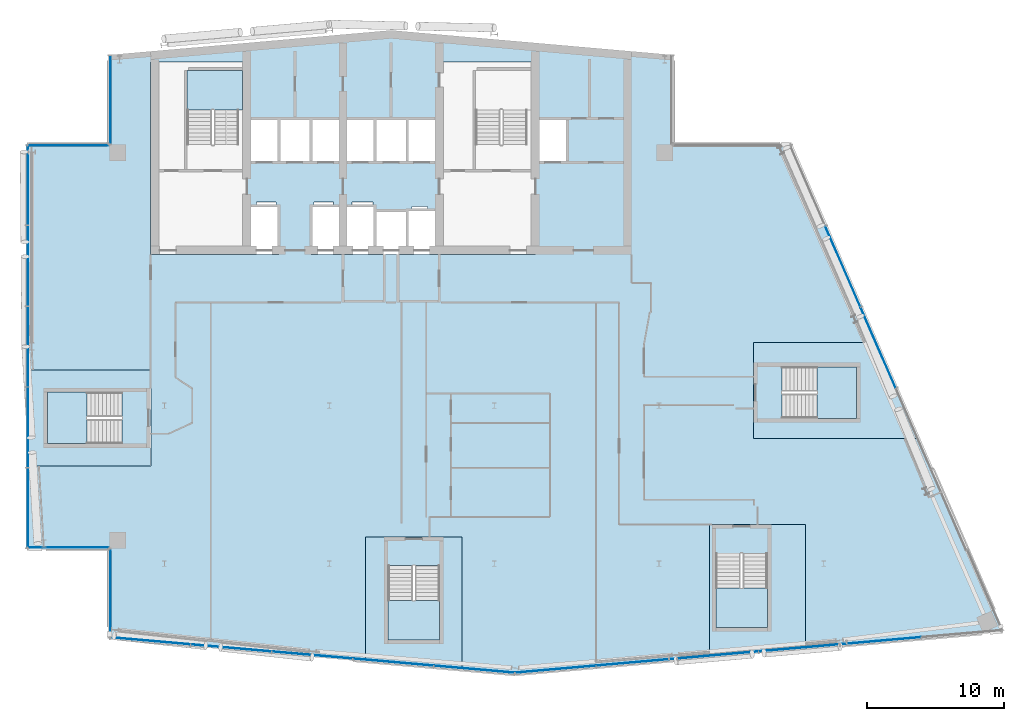
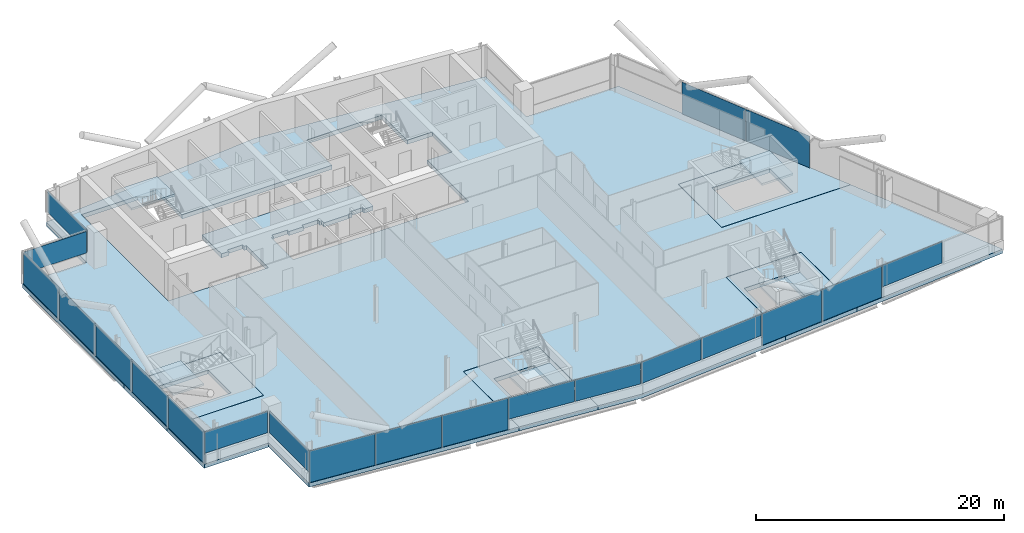
# One storey, part 13 of 26: 21 plates, 10 slabs, 13 elements without a shape of their own.
"""IFC4 building model written with IfcOpenShell, lengths in metres."""

from ifc_helpers import new_model, si_unit, direction, frame, origin, origin_2d, place, context, subcontext, project, spatial, polyline, rectangle, outline, extrude, material, layer, layer_set, type_object, element, aggregate, save


model = new_model("IFC4")

# Units and contexts
model_context = context("Model", 3, precision=1e-05, world=origin(), true_north=direction((0.0, 1.0)))
body_context = subcontext(model_context, "Body", "Model", "MODEL_VIEW")
ifc_project = project(units=[si_unit("LENGTHUNIT", "METRE"), si_unit("AREAUNIT", "SQUARE_METRE"), si_unit("VOLUMEUNIT", "CUBIC_METRE"), si_unit("PLANEANGLEUNIT", "RADIAN"), si_unit("MASSUNIT", "GRAM", prefix="KILO")], contexts=[model_context])

# Site, building, storey
site_placement = place(None, origin())
site = spatial("IfcSite", under=ifc_project, at=site_placement, CompositionType="ELEMENT")
building_placement = place(site_placement, origin())
building = spatial("IfcBuilding", under=site, at=building_placement, Name="Wharfspan Tower", CompositionType="ELEMENT")
storey_placement = place(building_placement, frame((0.0, 0.0, 235.899902)))
storey = spatial("IfcBuildingStorey", under=building, at=storey_placement, Name="L59", CompositionType="ELEMENT", Elevation=235.899902)

# Curtain wall, plates
ifc_material_1 = material(Name="Aluminium 6063-T6", Category="aluminium")
curtain_wall_type_1 = type_object("IfcCurtainWallType", Name="CURTAIN WALL FACETED FRONT", PredefinedType="NOTDEFINED", material=ifc_material_1)
curtain_wall_1_placement = place(storey_placement, origin())
curtain_wall_1 = element("IfcCurtainWall", 1, at=curtain_wall_1_placement, inside=storey, type_object=curtain_wall_type_1, Name="Curtain wall S1", PredefinedType="NOTDEFINED")
ifc_material_2 = material(Name="Glass clear low-iron double glazing", Category="glass")
ifc_layer_1 = layer(ifc_material_2, 0.040039)
ifc_layer_set_1 = layer_set([ifc_layer_1], Name="Glass clear low-iron double glazing")
plate_type_1 = type_object("IfcPlateType", Name="GLASS PANEL FACETED FRONT 40", PredefinedType="CURTAIN_PANEL", material=ifc_layer_set_1)
plate_1_placement = place(storey_placement, frame((40.655273, 4.328125, 1.0), z_axis=(0.0, 0.0, 1.0), x_axis=(0.996197, -0.087156, 0.0)))
plate_1 = element("IfcPlate", 2, at=plate_1_placement, type_object=plate_type_1, Name="Curtain wall S1 panel 4", PredefinedType="CURTAIN_PANEL", context=body_context, shape_type="SweptSolid", body=[
    extrude(rectangle(XDim=5.862549, YDim=0.040039, at=origin_2d()), origin(), (0.0, 0.0, 1.0), 2.120117),
])
plate_2_placement = place(storey_placement, frame((46.540283, 3.813232, 1.0), z_axis=(0.0, 0.0, 1.0), x_axis=(0.996197, -0.087156, 0.0)))
plate_2 = element("IfcPlate", 3, at=plate_2_placement, type_object=plate_type_1, Name="Curtain wall S1 panel 5", PredefinedType="CURTAIN_PANEL", context=body_context, shape_type="SweptSolid", body=[
    extrude(rectangle(XDim=5.83252, YDim=0.040039, at=origin_2d()), origin(), (0.0, 0.0, 1.0), 2.120117),
])

curtain_wall_2_placement = place(storey_placement, origin())
curtain_wall_2 = element("IfcCurtainWall", 4, at=curtain_wall_2_placement, inside=storey, type_object=curtain_wall_type_1, Name="Curtain wall S2", PredefinedType="NOTDEFINED")
plate_3_placement = place(storey_placement, frame((52.468018, 3.813965, 1.0), z_axis=(0.0, 0.0, 1.0), x_axis=(0.996197, 0.087156, 0.0)))
plate_3 = element("IfcPlate", 5, at=plate_3_placement, type_object=plate_type_1, Name="Curtain wall S2 panel 1", PredefinedType="CURTAIN_PANEL", context=body_context, shape_type="SweptSolid", body=[
    extrude(rectangle(XDim=5.849365, YDim=0.040039, at=origin_2d()), origin(), (0.0, 0.0, 1.0), 2.120117),
])
plate_4_placement = place(storey_placement, frame((58.369873, 4.330322, 1.0), z_axis=(0.0, 0.0, 1.0), x_axis=(0.996197, 0.087156, 0.0)))
plate_4 = element("IfcPlate", 6, at=plate_4_placement, type_object=plate_type_1, Name="Curtain wall S2 panel 2", PredefinedType="CURTAIN_PANEL", context=body_context, shape_type="SweptSolid", body=[
    extrude(rectangle(XDim=5.87915, YDim=0.040039, at=origin_2d()), origin(), (0.0, 0.0, 1.0), 2.120117),
])
plate_5_placement = place(storey_placement, frame((76.119873, 5.883301, 1.0), z_axis=(0.0, 0.0, 1.0), x_axis=(0.996197, 0.087156, 0.0)))
plate_5 = element("IfcPlate", 7, at=plate_5_placement, type_object=plate_type_1, Name="Curtain wall S2 panel 5", PredefinedType="CURTAIN_PANEL", context=body_context, shape_type="SweptSolid", body=[
    extrude(rectangle(XDim=5.87915, YDim=0.040039, at=origin_2d()), origin(), (0.0, 0.0, 1.0), 2.120117),
])

# Curtain wall, plate
curtain_wall_type_2 = type_object("IfcCurtainWallType", Name="CURTAIN WALL PROW AND END", PredefinedType="NOTDEFINED", material=ifc_material_1)
curtain_wall_3_placement = place(storey_placement, origin())
curtain_wall_3 = element("IfcCurtainWall", 8, at=curtain_wall_3_placement, inside=storey, type_object=curtain_wall_type_2, Name="Curtain wall NRW-V", PredefinedType="NOTDEFINED")
ifc_layer_2 = layer(ifc_material_2, 0.040039)
ifc_layer_set_2 = layer_set([ifc_layer_2], Name="Glass clear low-iron double glazing")
plate_type_2 = type_object("IfcPlateType", Name="GLASS PANEL PROW AND END 40", PredefinedType="CURTAIN_PANEL", material=ifc_layer_set_2)
plate_6_placement = place(storey_placement, frame((20.080078, 45.262451, 1.0), z_axis=(0.0, 0.0, 1.0), x_axis=(0.0, -1.0, 0.0)))
plate_6 = element("IfcPlate", 9, at=plate_6_placement, type_object=plate_type_2, Name="Curtain wall NRW-V panel 1", PredefinedType="CURTAIN_PANEL", context=body_context, shape_type="SweptSolid", body=[
    extrude(rectangle(XDim=6.405029, YDim=0.040039, at=origin_2d()), origin(), (0.0, 0.0, 1.0), 2.120117),
])
aggregate(curtain_wall_3, [plate_6])

curtain_wall_4_placement = place(storey_placement, origin())
curtain_wall_4 = element("IfcCurtainWall", 10, at=curtain_wall_4_placement, inside=storey, type_object=curtain_wall_type_2, Name="Curtain wall NRW-H", PredefinedType="NOTDEFINED")
plate_7_placement = place(storey_placement, frame((17.0, 41.919922, 1.0), z_axis=(0.0, 0.0, 1.0), x_axis=(-1.0, 0.0, 0.0)))
plate_7 = element("IfcPlate", 11, at=plate_7_placement, type_object=plate_type_2, Name="Curtain wall NRW-H panel 1", PredefinedType="CURTAIN_PANEL", context=body_context, shape_type="SweptSolid", body=[
    extrude(rectangle(XDim=5.879883, YDim=0.040039, at=origin_2d()), origin(), (0.0, 0.0, 1.0), 2.120117),
])
aggregate(curtain_wall_4, [plate_7])

curtain_wall_5_placement = place(storey_placement, origin())
curtain_wall_5 = element("IfcCurtainWall", 12, at=curtain_wall_5_placement, inside=storey, type_object=curtain_wall_type_2, Name="Curtain wall NFW-H", PredefinedType="NOTDEFINED")
plate_8_placement = place(storey_placement, frame((17.0, 12.679932, 1.0), z_axis=(0.0, 0.0, 1.0), x_axis=(1.0, 0.0, 0.0)))
plate_8 = element("IfcPlate", 13, at=plate_8_placement, type_object=plate_type_2, Name="Curtain wall NFW-H panel 1", PredefinedType="CURTAIN_PANEL", context=body_context, shape_type="SweptSolid", body=[
    extrude(rectangle(XDim=5.879883, YDim=0.040039, at=origin_2d()), origin(), (0.0, 0.0, 1.0), 2.120117),
])
aggregate(curtain_wall_5, [plate_8])

curtain_wall_6_placement = place(storey_placement, origin())
curtain_wall_6 = element("IfcCurtainWall", 14, at=curtain_wall_6_placement, inside=storey, type_object=curtain_wall_type_2, Name="Curtain wall NFW-V", PredefinedType="NOTDEFINED")
plate_9_placement = place(storey_placement, frame((20.080078, 9.337646, 1.0), z_axis=(0.0, 0.0, 1.0), x_axis=(0.0, -1.0, 0.0)))
plate_9 = element("IfcPlate", 15, at=plate_9_placement, type_object=plate_type_2, Name="Curtain wall NFW-V panel 1", PredefinedType="CURTAIN_PANEL", context=body_context, shape_type="SweptSolid", body=[
    extrude(rectangle(XDim=6.405029, YDim=0.040039, at=origin_2d()), origin(), (0.0, 0.0, 1.0), 2.120117),
])
aggregate(curtain_wall_6, [plate_9])

# Plate
ifc_material_3 = material(Name="Aluminium composite opaque insulated panel", Category="aluminium")
ifc_layer_3 = layer(ifc_material_3, 0.040039)
ifc_layer_set_3 = layer_set([ifc_layer_3], Name="Aluminium composite opaque insulated panel")
plate_type_3 = type_object("IfcPlateType", Name="INFILL PANEL FACETED FRONT OPAQUE 40", PredefinedType="SHEET", material=ifc_layer_set_3)
plate_10_placement = place(storey_placement, frame((22.970215, 5.875488, 0.0), z_axis=(0.0, 0.0, 1.0), x_axis=(0.996197, -0.087156, 0.0)))
plate_10 = element("IfcPlate", 16, at=plate_10_placement, type_object=plate_type_3, Name="Curtain wall S1 panel 1", PredefinedType="SHEET", context=body_context, shape_type="SweptSolid", body=[
    extrude(rectangle(XDim=5.83252, YDim=0.040039, at=origin_2d()), origin(), (0.0, 0.0, 1.0), 3.120117),
])

plate_11_placement = place(storey_placement, frame((28.855225, 5.360596, 0.0), z_axis=(0.0, 0.0, 1.0), x_axis=(0.996197, -0.087156, 0.0)))
plate_11 = element("IfcPlate", 17, at=plate_11_placement, type_object=plate_type_3, Name="Curtain wall S1 panel 2", PredefinedType="SHEET", context=body_context, shape_type="SweptSolid", body=[
    extrude(rectangle(XDim=5.862549, YDim=0.040039, at=origin_2d()), origin(), (0.0, 0.0, 1.0), 3.120117),
])

plate_12_placement = place(storey_placement, frame((34.755127, 4.844482, 0.0), z_axis=(0.0, 0.0, 1.0), x_axis=(0.996197, -0.087156, 0.0)))
plate_12 = element("IfcPlate", 18, at=plate_12_placement, type_object=plate_type_3, Name="Curtain wall S1 panel 3", PredefinedType="SHEET", context=body_context, shape_type="SweptSolid", body=[
    extrude(rectangle(XDim=5.862549, YDim=0.040039, at=origin_2d()), origin(), (0.0, 0.0, 1.0), 3.120117),
])

aggregate(curtain_wall_1, [plate_10, plate_11, plate_12, plate_1, plate_2])

plate_13_placement = place(storey_placement, frame((64.286377, 4.848145, 0.0), z_axis=(0.0, 0.0, 1.0), x_axis=(0.996197, 0.087156, 0.0)))
plate_13 = element("IfcPlate", 19, at=plate_13_placement, type_object=plate_type_3, Name="Curtain wall S2 panel 3", PredefinedType="SHEET", context=body_context, shape_type="SweptSolid", body=[
    extrude(rectangle(XDim=5.87915, YDim=0.040039, at=origin_2d()), origin(), (0.0, 0.0, 1.0), 3.120117),
])

plate_14_placement = place(storey_placement, frame((70.203125, 5.365723, 0.0), z_axis=(0.0, 0.0, 1.0), x_axis=(0.996197, 0.087156, 0.0)))
plate_14 = element("IfcPlate", 20, at=plate_14_placement, type_object=plate_type_3, Name="Curtain wall S2 panel 4", PredefinedType="SHEET", context=body_context, shape_type="SweptSolid", body=[
    extrude(rectangle(XDim=5.87915, YDim=0.040039, at=origin_2d()), origin(), (0.0, 0.0, 1.0), 3.120117),
])

aggregate(curtain_wall_2, [plate_3, plate_4, plate_13, plate_14, plate_5])

# Curtain wall, plates
curtain_wall_7_placement = place(storey_placement, origin())
curtain_wall_7 = element("IfcCurtainWall", 21, at=curtain_wall_7_placement, inside=storey, type_object=curtain_wall_type_2, Name="Curtain wall E", PredefinedType="NOTDEFINED")
ifc_layer_4 = layer(ifc_material_3, 0.040039)
ifc_layer_set_4 = layer_set([ifc_layer_4], Name="Aluminium composite opaque insulated panel")
plate_type_4 = type_object("IfcPlateType", Name="INFILL PANEL PROW AND END OPAQUE 40", PredefinedType="SHEET", material=ifc_layer_set_4)
plate_15_placement = place(storey_placement, frame((75.948486, 27.218018, 0.0), z_axis=(0.0, 0.0, 1.0), x_axis=(-0.398727, 0.917072, 0.0)))
plate_15 = element("IfcPlate", 22, at=plate_15_placement, type_object=plate_type_4, Name="Curtain wall E panel 4", PredefinedType="SHEET", context=body_context, shape_type="SweptSolid", body=[
    extrude(rectangle(XDim=6.373535, YDim=0.040039, at=origin_2d()), origin(), (0.0, 0.0, 1.0), 3.120117),
])
plate_16_placement = place(storey_placement, frame((73.383057, 33.118164, 0.0), z_axis=(0.0, 0.0, 1.0), x_axis=(-0.398727, 0.917072, 0.0)))
plate_16 = element("IfcPlate", 23, at=plate_16_placement, type_object=plate_type_4, Name="Curtain wall E panel 5", PredefinedType="SHEET", context=body_context, shape_type="SweptSolid", body=[
    extrude(rectangle(XDim=6.373535, YDim=0.040039, at=origin_2d()), origin(), (0.0, 0.0, 1.0), 3.120117),
])
aggregate(curtain_wall_7, [plate_15, plate_16])

curtain_wall_8_placement = place(storey_placement, origin())
curtain_wall_8 = element("IfcCurtainWall", 24, at=curtain_wall_8_placement, inside=storey, type_object=curtain_wall_type_2, Name="Curtain wall W", PredefinedType="NOTDEFINED")
plate_17_placement = place(storey_placement, frame((14.080078, 39.044922, 0.0), z_axis=(0.0, 0.0, 1.0), x_axis=(0.0, -1.0, 0.0)))
plate_17 = element("IfcPlate", 25, at=plate_17_placement, type_object=plate_type_4, Name="Curtain wall W panel 1", PredefinedType="SHEET", context=body_context, shape_type="SweptSolid", body=[
    extrude(rectangle(XDim=5.790039, YDim=0.040039, at=origin_2d()), origin(), (0.0, 0.0, 1.0), 3.120117),
])
plate_18_placement = place(storey_placement, frame((14.080078, 33.179932, 0.0), z_axis=(0.0, 0.0, 1.0), x_axis=(0.0, -1.0, 0.0)))
plate_18 = element("IfcPlate", 26, at=plate_18_placement, type_object=plate_type_4, Name="Curtain wall W panel 2", PredefinedType="SHEET", context=body_context, shape_type="SweptSolid", body=[
    extrude(rectangle(XDim=5.820068, YDim=0.040039, at=origin_2d()), origin(), (0.0, 0.0, 1.0), 3.120117),
])
plate_19_placement = place(storey_placement, frame((14.080078, 27.300049, 0.0), z_axis=(0.0, 0.0, 1.0), x_axis=(0.0, -1.0, 0.0)))
plate_19 = element("IfcPlate", 27, at=plate_19_placement, type_object=plate_type_4, Name="Curtain wall W panel 3", PredefinedType="SHEET", context=body_context, shape_type="SweptSolid", body=[
    extrude(rectangle(XDim=5.820068, YDim=0.040039, at=origin_2d()), origin(), (0.0, 0.0, 1.0), 3.120117),
])
plate_20_placement = place(storey_placement, frame((14.080078, 21.419922, 0.0), z_axis=(0.0, 0.0, 1.0), x_axis=(0.0, -1.0, 0.0)))
plate_20 = element("IfcPlate", 28, at=plate_20_placement, type_object=plate_type_4, Name="Curtain wall W panel 4", PredefinedType="SHEET", context=body_context, shape_type="SweptSolid", body=[
    extrude(rectangle(XDim=5.820068, YDim=0.040039, at=origin_2d()), origin(), (0.0, 0.0, 1.0), 3.120117),
])
plate_21_placement = place(storey_placement, frame((14.080078, 15.554932, 0.0), z_axis=(0.0, 0.0, 1.0), x_axis=(0.0, -1.0, 0.0)))
plate_21 = element("IfcPlate", 29, at=plate_21_placement, type_object=plate_type_4, Name="Curtain wall W panel 5", PredefinedType="SHEET", context=body_context, shape_type="SweptSolid", body=[
    extrude(rectangle(XDim=5.790039, YDim=0.040039, at=origin_2d()), origin(), (0.0, 0.0, 1.0), 3.120117),
])
aggregate(curtain_wall_8, [plate_17, plate_18, plate_19, plate_20, plate_21])

# Slabs
ifc_material_4 = material(Name="Concrete C40/50", Category="concrete")
ifc_layer_5 = layer(ifc_material_4, 0.399902)
ifc_layer_set_5 = layer_set([ifc_layer_5], Name="Concrete C40/50")
slab_type_1 = type_object("IfcSlabType", Name="Post-tensioned flat slab 400", PredefinedType="FLOOR", material=ifc_layer_set_5)
slab_1_placement = place(storey_placement, frame((0.0, 0.0, -0.400146)))
element("IfcSlab", 30, at=slab_1_placement, inside=storey, type_object=slab_type_1, Name="Floor slab L59", PredefinedType="FLOOR", context=body_context, shape_type="SweptSolid", body=[
    extrude(outline(polyline([(38.64209, 4.444092), (38.64209, 13.453125), (45.662109, 13.453125), (45.662109, 3.829834), (49.5, 3.494141), (63.658691, 4.73291), (63.658691, 14.356201), (70.678711, 14.356201), (70.678711, 5.347168), (85.0, 6.600098), (78.91748, 20.590088), (66.859619, 20.590088), (66.859619, 27.610107), (75.865234, 27.610107), (69.608643, 42.0), (61.0, 42.0), (61.0, 48.524902), (40.5, 50.318359), (20.0, 48.524902), (20.0, 42.0), (14.0, 42.0), (14.0, 25.610107), (23.01001, 25.610107), (23.01001, 18.590088), (14.0, 18.590088), (14.0, 12.600098), (20.0, 12.600098), (20.0, 6.075195), (38.64209, 4.444092)]), holes=[polyline([(32.126709, 37.560059), (32.343262, 37.560059), (32.343262, 33.98999), (22.98999, 33.98999), (22.98999, 48.01001), (30.01001, 48.01001), (30.01001, 43.909912), (43.98999, 43.909912), (43.98999, 48.01001), (51.01001, 48.01001), (51.01001, 43.909912), (53.343262, 43.909912), (53.343262, 40.689941), (51.01001, 40.689941), (51.01001, 33.98999), (34.656738, 33.98999), (34.656738, 37.560059), (34.873291, 37.560059), (34.873291, 37.810059), (36.293213, 37.810059), (36.293213, 37.560059), (37.666748, 37.560059), (37.666748, 37.810059), (39.166748, 37.810059), (39.166748, 37.560059), (39.343262, 37.560059), (39.343262, 37.209961), (41.656738, 37.209961), (41.656738, 37.26001), (42.023193, 37.26001), (42.023193, 37.51001), (43.143311, 37.51001), (43.143311, 37.26001), (43.98999, 37.26001), (43.98999, 40.689941), (30.01001, 40.689941), (30.01001, 37.560059), (30.706787, 37.560059), (30.706787, 37.810059), (32.126709, 37.810059), (32.126709, 37.560059)])]), origin(), (0.0, 0.0, 1.0), 0.400146),
])
slab_2_placement = place(storey_placement, frame((0.0, 0.0, -0.400146)))
element("IfcSlab", 31, at=slab_2_placement, inside=storey, type_object=slab_type_1, Name="Core floor slab L59 part 1", PredefinedType="FLOOR", context=body_context, shape_type="SweptSolid", body=[
    extrude(outline(polyline([(23.0, 19.925049), (23.0, 24.274902), (23.0, 25.600098), (14.0, 25.600098), (14.0, 18.600098), (23.0, 18.600098), (23.0, 19.925049)]), holes=[polyline([(20.899902, 23.977051), (20.900146, 23.977051), (20.900391, 23.977051), (20.900635, 23.976807), (20.900879, 23.976807), (20.900879, 23.976807), (20.901123, 23.976807), (20.901367, 23.976562), (20.901367, 23.976318), (20.901611, 23.976318), (20.901611, 23.976074), (20.901855, 23.97583), (20.901855, 23.97583), (20.901855, 23.975586), (20.9021, 23.975342), (20.9021, 23.975098), (20.9021, 23.975098), (20.9021, 20.225098), (20.9021, 20.224854), (20.9021, 20.224609), (20.901855, 20.224365), (20.901855, 20.224121), (20.901855, 20.224121), (20.901611, 20.223877), (20.901611, 20.223633), (20.901367, 20.223633), (20.901367, 20.223389), (20.901123, 20.223389), (20.900879, 20.223145), (20.900879, 20.223145), (20.900635, 20.223145), (20.900391, 20.2229), (20.900146, 20.2229), (20.899902, 20.2229), (15.5, 20.2229), (15.499756, 20.2229), (15.499512, 20.2229), (15.499512, 20.223145), (15.499268, 20.223145), (15.499023, 20.223145), (15.498779, 20.223389), (15.498779, 20.223389), (15.498535, 20.223633), (15.498535, 20.223633), (15.498291, 20.223877), (15.498291, 20.224121), (15.498291, 20.224121), (15.498047, 20.224365), (15.498047, 20.224609), (15.498047, 20.224854), (15.498047, 20.225098), (15.498047, 23.975098), (15.498047, 23.975098), (15.498047, 23.975342), (15.498047, 23.975586), (15.498291, 23.97583), (15.498291, 23.97583), (15.498291, 23.976074), (15.498535, 23.976318), (15.498535, 23.976318), (15.498779, 23.976562), (15.498779, 23.976807), (15.499023, 23.976807), (15.499268, 23.976807), (15.499512, 23.976807), (15.499512, 23.977051), (15.499756, 23.977051), (15.5, 23.977051), (20.899902, 23.977051)])]), origin(), (0.0, 0.0, 1.0), 0.400146),
])
slab_3_placement = place(storey_placement, frame((0.0, 0.0, -0.400146)))
element("IfcSlab", 32, at=slab_3_placement, inside=storey, type_object=slab_type_1, Name="Core floor slab L59 part 3", PredefinedType="FLOOR", context=body_context, shape_type="SweptSolid", body=[
    extrude(outline(polyline([(44.327148, 13.443115), (39.977051, 13.443115), (38.6521, 13.443115), (38.6521, 4.443115), (45.6521, 3.830811), (45.6521, 13.443115), (44.327148, 13.443115)]), holes=[polyline([(40.275146, 11.343262), (40.275146, 11.343506), (40.275146, 11.343506), (40.275146, 11.34375), (40.275391, 11.343994), (40.275391, 11.344238), (40.275391, 11.344238), (40.275635, 11.344482), (40.275635, 11.344482), (40.275879, 11.344727), (40.275879, 11.344971), (40.276123, 11.344971), (40.276367, 11.345215), (40.276611, 11.345215), (40.276611, 11.345215), (40.276855, 11.345215), (40.2771, 11.345215), (44.0271, 11.345215), (44.027344, 11.345215), (44.027588, 11.345215), (44.027588, 11.345215), (44.027832, 11.345215), (44.028076, 11.344971), (44.02832, 11.344971), (44.02832, 11.344727), (44.028564, 11.344482), (44.028809, 11.344482), (44.028809, 11.344238), (44.028809, 11.344238), (44.029053, 11.343994), (44.029053, 11.34375), (44.029053, 11.343506), (44.029053, 11.343506), (44.029053, 11.343262), (44.029053, 5.943115), (44.029053, 5.943115), (44.029053, 5.942871), (44.029053, 5.942627), (44.029053, 5.942383), (44.028809, 5.942383), (44.028809, 5.942139), (44.028809, 5.941895), (44.028564, 5.941895), (44.02832, 5.94165), (44.02832, 5.94165), (44.028076, 5.941406), (44.027832, 5.941406), (44.027588, 5.941406), (44.027588, 5.941406), (44.027344, 5.941162), (44.0271, 5.941162), (40.2771, 5.941162), (40.276855, 5.941162), (40.276611, 5.941406), (40.276611, 5.941406), (40.276367, 5.941406), (40.276123, 5.941406), (40.275879, 5.94165), (40.275879, 5.94165), (40.275635, 5.941895), (40.275635, 5.941895), (40.275391, 5.942139), (40.275391, 5.942383), (40.275391, 5.942383), (40.275146, 5.942627), (40.275146, 5.942871), (40.275146, 5.943115), (40.275146, 5.943115), (40.275146, 11.343262)])]), origin(), (0.0, 0.0, 1.0), 0.400146),
])
slab_4_placement = place(storey_placement, frame((0.0, 0.0, -0.400146)))
element("IfcSlab", 33, at=slab_4_placement, inside=storey, type_object=slab_type_1, Name="Core floor slab L59 part 4", PredefinedType="FLOOR", context=body_context, shape_type="SweptSolid", body=[
    extrude(outline(polyline([(70.668701, 14.346191), (68.193848, 14.346191), (63.84375, 14.346191), (63.668701, 14.346191), (63.668701, 4.733887), (70.668701, 5.346191), (70.668701, 14.346191)]), holes=[polyline([(64.141846, 12.246094), (64.141846, 12.246338), (64.141846, 12.246582), (64.141846, 12.246826), (64.14209, 12.246826), (64.14209, 12.24707), (64.14209, 12.247314), (64.142334, 12.247559), (64.142334, 12.247559), (64.142578, 12.247803), (64.142578, 12.247803), (64.142822, 12.247803), (64.143066, 12.248047), (64.143311, 12.248047), (64.143311, 12.248047), (64.143555, 12.248291), (64.143799, 12.248291), (67.893799, 12.248291), (67.894043, 12.248291), (67.894287, 12.248047), (67.894287, 12.248047), (67.894531, 12.248047), (67.894775, 12.247803), (67.89502, 12.247803), (67.89502, 12.247803), (67.895264, 12.247559), (67.895508, 12.247559), (67.895508, 12.247314), (67.895508, 12.24707), (67.895752, 12.246826), (67.895752, 12.246826), (67.895752, 12.246582), (67.895752, 12.246338), (67.895752, 12.246094), (67.895752, 6.846191), (67.895752, 6.845947), (67.895752, 6.845703), (67.895752, 6.845703), (67.895752, 6.845459), (67.895508, 6.845215), (67.895508, 6.845215), (67.895508, 6.844971), (67.895264, 6.844727), (67.89502, 6.844482), (67.89502, 6.844482), (67.894775, 6.844482), (67.894531, 6.844238), (67.894287, 6.844238), (67.894287, 6.844238), (67.894043, 6.844238), (67.893799, 6.844238), (64.143799, 6.844238), (64.143555, 6.844238), (64.143311, 6.844238), (64.143311, 6.844238), (64.143066, 6.844238), (64.142822, 6.844482), (64.142578, 6.844482), (64.142578, 6.844482), (64.142334, 6.844727), (64.142334, 6.844971), (64.14209, 6.845215), (64.14209, 6.845215), (64.14209, 6.845459), (64.141846, 6.845703), (64.141846, 6.845703), (64.141846, 6.845947), (64.141846, 6.846191), (64.141846, 12.246094)])]), origin(), (0.0, 0.0, 1.0), 0.400146),
])
slab_5_placement = place(storey_placement, frame((0.0, 0.0, -0.400146)))
element("IfcSlab", 34, at=slab_5_placement, inside=storey, type_object=slab_type_1, Name="Core floor slab L59 part 5", PredefinedType="FLOOR", context=body_context, shape_type="SweptSolid", body=[
    extrude(outline(polyline([(75.869629, 27.600098), (66.869629, 27.600098), (66.869629, 26.125), (66.869629, 21.774902), (66.869629, 20.600098), (78.913086, 20.600098), (75.869629, 27.600098)]), holes=[polyline([(68.967529, 25.824951), (68.967529, 25.825195), (68.967529, 25.825439), (68.967773, 25.825684), (68.967773, 25.825684), (68.967773, 25.825928), (68.968018, 25.826172), (68.968018, 25.826416), (68.968262, 25.826416), (68.968262, 25.826416), (68.968506, 25.82666), (68.968506, 25.826904), (68.96875, 25.826904), (68.968994, 25.826904), (68.969238, 25.826904), (68.969482, 25.826904), (68.969482, 25.826904), (74.369629, 25.826904), (74.369873, 25.826904), (74.370117, 25.826904), (74.370117, 25.826904), (74.370361, 25.826904), (74.370605, 25.826904), (74.370605, 25.82666), (74.37085, 25.826416), (74.371094, 25.826416), (74.371094, 25.826416), (74.371094, 25.826172), (74.371338, 25.825928), (74.371338, 25.825684), (74.371582, 25.825684), (74.371582, 25.825439), (74.371582, 25.825195), (74.371582, 25.824951), (74.371582, 22.074951), (74.371582, 22.074707), (74.371582, 22.074707), (74.371582, 22.074463), (74.371338, 22.074219), (74.371338, 22.074219), (74.371094, 22.073975), (74.371094, 22.07373), (74.371094, 22.073486), (74.37085, 22.073486), (74.370605, 22.073242), (74.370605, 22.073242), (74.370361, 22.073242), (74.370117, 22.072998), (74.370117, 22.072998), (74.369873, 22.072998), (74.369629, 22.072998), (68.969482, 22.072998), (68.969482, 22.072998), (68.969238, 22.072998), (68.968994, 22.072998), (68.96875, 22.073242), (68.968506, 22.073242), (68.968506, 22.073242), (68.968262, 22.073486), (68.968262, 22.073486), (68.968018, 22.07373), (68.968018, 22.073975), (68.967773, 22.074219), (68.967773, 22.074219), (68.967773, 22.074463), (68.967529, 22.074707), (68.967529, 22.074707), (68.967529, 22.074951), (68.967529, 25.824951)])]), origin(), (0.0, 0.0, 1.0), 0.400146),
])

# Stair, slab
stair_type = type_object("IfcStairType", Name="Half-turn stair 20 risers 180 mm", PredefinedType="HALF_TURN_STAIR", material=ifc_material_4)
stair_1_placement = place(storey_placement, origin())
stair_1 = element("IfcStair", 35, at=stair_1_placement, inside=storey, type_object=stair_type, Name="L59 stair ST1", PredefinedType="HALF_TURN_STAIR")
ifc_layer_6 = layer(ifc_material_4, 0.199951)
ifc_layer_set_6 = layer_set([ifc_layer_6], Name="Concrete C40/50")
slab_type_2 = type_object("IfcSlabType", Name="Stair landing 200", PredefinedType="LANDING", material=ifc_layer_set_6)
slab_6_placement = place(storey_placement, frame((0.0, 0.0, 1.599854)))
slab_6 = element("IfcSlab", 36, at=slab_6_placement, type_object=slab_type_2, Name="ST1 landing 1", PredefinedType="LANDING", context=body_context, shape_type="SweptSolid", body=[
    extrude(outline(polyline([(25.649902, 44.52002), (29.699951, 44.52002), (29.699951, 47.399902), (25.649902, 47.399902), (25.649902, 44.52002)])), origin(), (0.0, 0.0, 1.0), 0.200195),
])
aggregate(stair_1, [slab_6])

stair_2_placement = place(storey_placement, origin())
stair_2 = element("IfcStair", 37, at=stair_2_placement, inside=storey, type_object=stair_type, Name="L59 stair ST3", PredefinedType="HALF_TURN_STAIR")
slab_7_placement = place(storey_placement, frame((0.0, 0.0, 1.599854)))
slab_7 = element("IfcSlab", 38, at=slab_7_placement, type_object=slab_type_2, Name="ST3 landing 1", PredefinedType="LANDING", context=body_context, shape_type="SweptSolid", body=[
    extrude(outline(polyline([(18.379883, 23.975098), (15.5, 23.975098), (15.5, 20.225098), (18.379883, 20.225098), (18.379883, 23.975098)])), origin(), (0.0, 0.0, 1.0), 0.200195),
])
aggregate(stair_2, [slab_7])

stair_3_placement = place(storey_placement, origin())
stair_3 = element("IfcStair", 39, at=stair_3_placement, inside=storey, type_object=stair_type, Name="L59 stair ST4", PredefinedType="HALF_TURN_STAIR")
slab_8_placement = place(storey_placement, frame((0.0, 0.0, 1.599854)))
slab_8 = element("IfcSlab", 40, at=slab_8_placement, type_object=slab_type_2, Name="ST4 landing 1", PredefinedType="LANDING", context=body_context, shape_type="SweptSolid", body=[
    extrude(outline(polyline([(40.2771, 8.823242), (40.2771, 5.943115), (44.0271, 5.943115), (44.0271, 8.823242), (40.2771, 8.823242)])), origin(), (0.0, 0.0, 1.0), 0.200195),
])
aggregate(stair_3, [slab_8])

stair_4_placement = place(storey_placement, origin())
stair_4 = element("IfcStair", 41, at=stair_4_placement, inside=storey, type_object=stair_type, Name="L59 stair ST5", PredefinedType="HALF_TURN_STAIR")
slab_9_placement = place(storey_placement, frame((0.0, 0.0, 1.599854)))
slab_9 = element("IfcSlab", 42, at=slab_9_placement, type_object=slab_type_2, Name="ST5 landing 1", PredefinedType="LANDING", context=body_context, shape_type="SweptSolid", body=[
    extrude(outline(polyline([(64.143799, 9.726074), (64.143799, 6.846191), (67.893799, 6.846191), (67.893799, 9.726074), (64.143799, 9.726074)])), origin(), (0.0, 0.0, 1.0), 0.200195),
])
aggregate(stair_4, [slab_9])

stair_5_placement = place(storey_placement, origin())
stair_5 = element("IfcStair", 43, at=stair_5_placement, inside=storey, type_object=stair_type, Name="L59 stair ST6", PredefinedType="HALF_TURN_STAIR")
slab_10_placement = place(storey_placement, frame((0.0, 0.0, 1.599854)))
slab_10 = element("IfcSlab", 44, at=slab_10_placement, type_object=slab_type_2, Name="ST6 landing 1", PredefinedType="LANDING", context=body_context, shape_type="SweptSolid", body=[
    extrude(outline(polyline([(71.489502, 22.074951), (74.369629, 22.074951), (74.369629, 25.824951), (71.489502, 25.824951), (71.489502, 22.074951)])), origin(), (0.0, 0.0, 1.0), 0.200195),
])
aggregate(stair_5, [slab_10])

save(model, "model.ifc")
